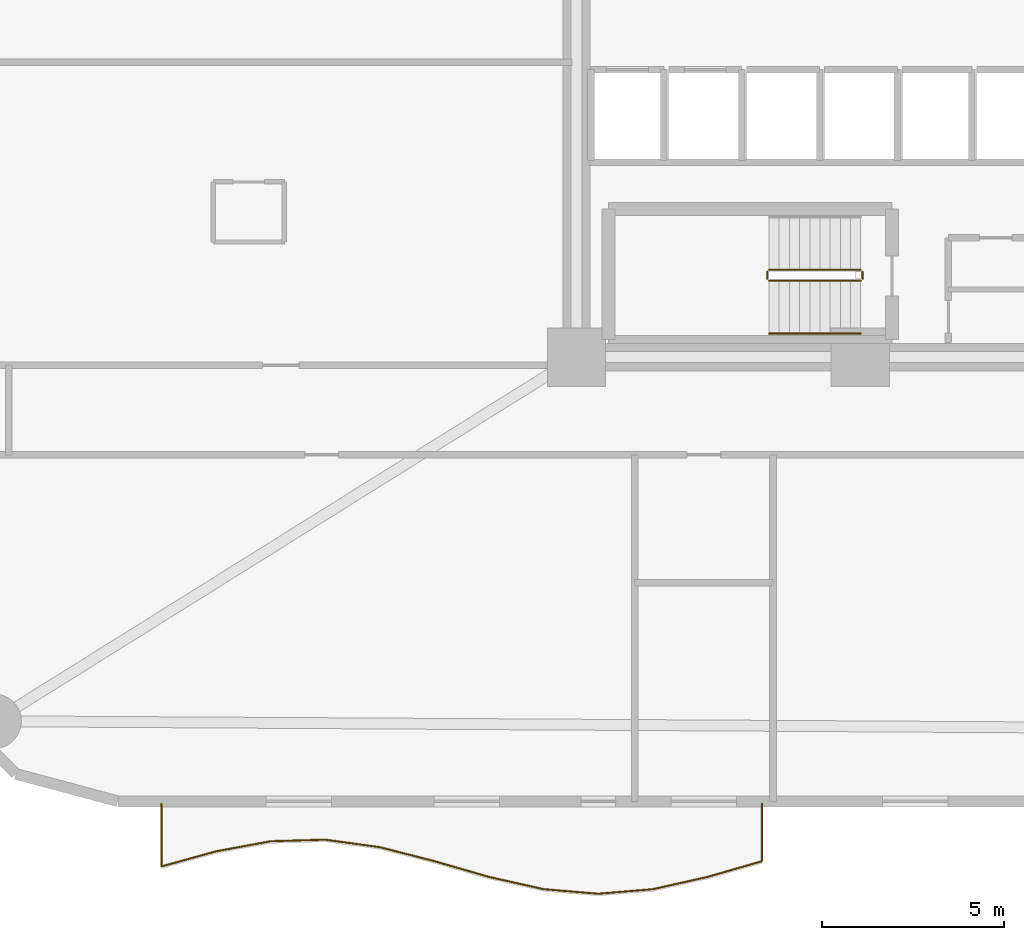
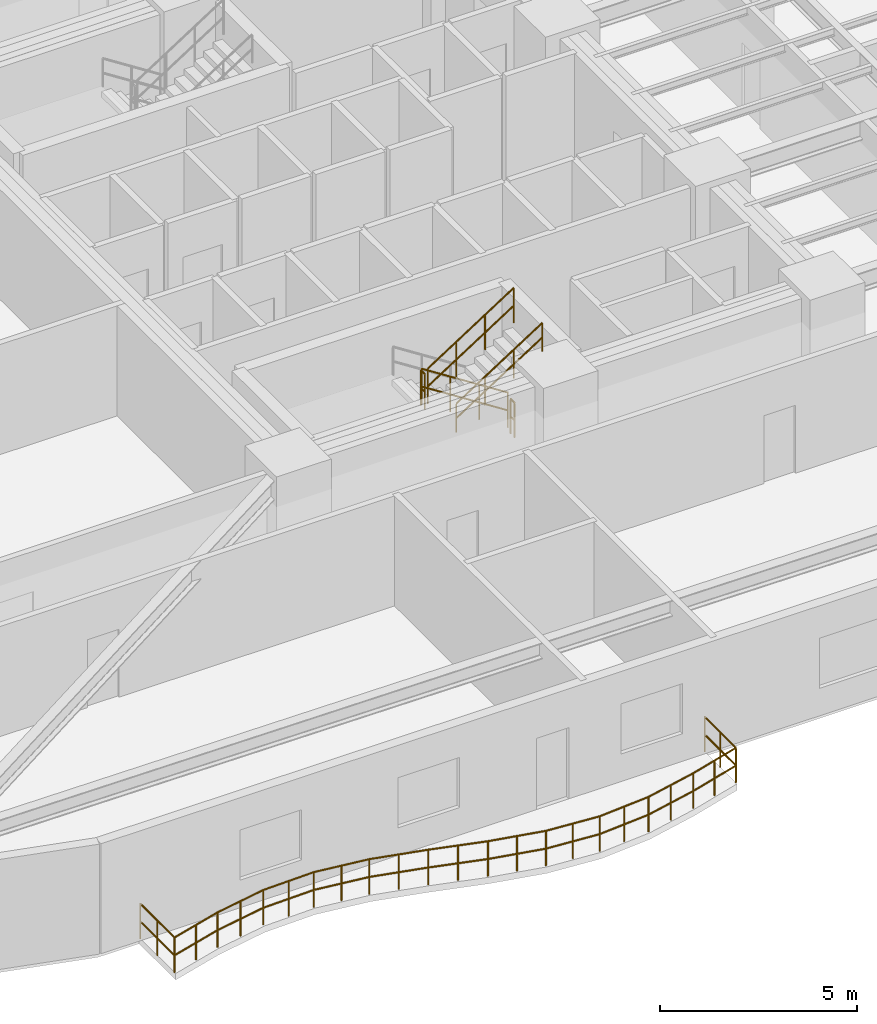
# One storey, part 14 of 16: 6 railings.
"""IFC4 building model written with IfcOpenShell, lengths in metres."""

from ifc_helpers import new_model, si_unit, direction, frame, origin, origin_2d, place, context, subcontext, project, spatial, circle, extrude, material, type_object, element, save


model = new_model("IFC4")

# Units and contexts
model_context = context("Model", 3, precision=1e-05, world=origin(), true_north=direction((0.0, 1.0)))
body_context = subcontext(model_context, "Body", "Model", "MODEL_VIEW")
ifc_project = project(units=[si_unit("LENGTHUNIT", "METRE"), si_unit("AREAUNIT", "SQUARE_METRE"), si_unit("VOLUMEUNIT", "CUBIC_METRE"), si_unit("PLANEANGLEUNIT", "RADIAN"), si_unit("MASSUNIT", "GRAM", prefix="KILO")], contexts=[model_context])

# Site, building, storey
site_placement = place(None, origin())
site = spatial("IfcSite", under=ifc_project, at=site_placement, CompositionType="ELEMENT")
building_placement = place(site_placement, origin())
building = spatial("IfcBuilding", under=site, at=building_placement, Name="An Khanh Terracotta Commons", CompositionType="ELEMENT")
storey_placement = place(building_placement, frame((0.0, 0.0, 46.800048828125)))
storey = spatial("IfcBuildingStorey", under=building, at=storey_placement, Name="L12", CompositionType="ELEMENT", Elevation=46.800048828125)

# Railings
ifc_material_1 = material(Name="Brushed Stainless Steel 316", Category="steel")
railing_type_1 = type_object("IfcRailingType", Name="RAIL-BALUSTRADE-1100", PredefinedType="BALUSTRADE", material=ifc_material_1)
railing_1_placement = place(storey_placement, frame((10.199951171875, 2.139892578125, 0.0)))
element("IfcRailing", 1, at=railing_1_placement, inside=storey, type_object=railing_type_1, Name="L12 S Wave Balcony Guard Balustrade", PredefinedType="BALUSTRADE", context=body_context, shape_type="SweptSolid", body=[
    extrude(circle(Radius=0.02392578125, at=origin_2d()), frame((0.0, 0.0, 1.076171875), z_axis=(0.0, -1.0, 0.0), x_axis=(1.0, 0.0, 0.0)), (0.0, 0.0, 1.0), 1.72998046875),
    extrude(circle(Radius=0.02392578125, at=origin_2d()), frame((0.0, 0.0, 0.52587890625), z_axis=(0.0, -1.0, 0.0), x_axis=(1.0, 0.0, 0.0)), (0.0, 0.0, 1.0), 1.72998046875),
    extrude(circle(Radius=0.02392578125, at=origin_2d()), frame((0.0, -1.72998046875, 1.076171875), z_axis=(0.963463971294, 0.267837965978, 0.0), x_axis=(-0.267837965978, 0.963463971294, 0.0)), (0.0, 0.0, 1.0), 1.556884765625),
    extrude(circle(Radius=0.02392578125, at=origin_2d()), frame((0.0, -1.72998046875, 0.52587890625), z_axis=(0.963463971294, 0.267837965978, 0.0), x_axis=(-0.267837965978, 0.963463971294, 0.0)), (0.0, 0.0, 1.0), 1.556884765625),
    extrude(circle(Radius=0.02392578125, at=origin_2d()), frame((1.5, -1.31298828125, 1.076171875), z_axis=(0.983475695992, 0.181040203803, 0.0), x_axis=(-0.181040203803, 0.983475695992, 0.0)), (0.0, 0.0, 1.0), 1.525146484375),
    extrude(circle(Radius=0.02392578125, at=origin_2d()), frame((1.5, -1.31298828125, 0.52587890625), z_axis=(0.983475695992, 0.181040203803, 0.0), x_axis=(-0.181040203803, 0.983475695992, 0.0)), (0.0, 0.0, 1.0), 1.525146484375),
    extrude(circle(Radius=0.02392578125, at=origin_2d()), frame((3.0, -1.036865234375, 1.076171875), z_axis=(0.999589960453, 0.028634087409, 0.0), x_axis=(-0.028634087409, 0.999589960453, 0.0)), (0.0, 0.0, 1.0), 1.500732421875),
    extrude(circle(Radius=0.02392578125, at=origin_2d()), frame((3.0, -1.036865234375, 0.52587890625), z_axis=(0.999589960453, 0.028634087409, 0.0), x_axis=(-0.028634087409, 0.999589960453, 0.0)), (0.0, 0.0, 1.0), 1.500732421875),
    extrude(circle(Radius=0.02392578125, at=origin_2d()), frame((4.5, -0.993896484375, 1.076171875), z_axis=(0.990696239711, -0.136091736054, 0.0), x_axis=(0.136091736054, 0.990696239711, 0.0)), (0.0, 0.0, 1.0), 1.51416015625),
    extrude(circle(Radius=0.02392578125, at=origin_2d()), frame((4.5, -0.993896484375, 0.52587890625), z_axis=(0.990696239711, -0.136091736054, 0.0), x_axis=(0.136091736054, 0.990696239711, 0.0)), (0.0, 0.0, 1.0), 1.51416015625),
    extrude(circle(Radius=0.02392578125, at=origin_2d()), frame((6.0, -1.199951171875, 1.076171875), z_axis=(0.968754262999, -0.248022535107, 0.0), x_axis=(0.248022535107, 0.968754262999, 0.0)), (0.0, 0.0, 1.0), 1.54833984375),
    extrude(circle(Radius=0.02392578125, at=origin_2d()), frame((6.0, -1.199951171875, 0.52587890625), z_axis=(0.968754262999, -0.248022535107, 0.0), x_axis=(0.248022535107, 0.968754262999, 0.0)), (0.0, 0.0, 1.0), 1.54833984375),
    extrude(circle(Radius=0.02392578125, at=origin_2d()), frame((7.5, -1.583984375, 1.076171875), z_axis=(0.960794755374, -0.277260595911, 0.0), x_axis=(0.277260595911, 0.960794755374, 0.0)), (0.0, 0.0, 1.0), 1.561279296875),
    extrude(circle(Radius=0.02392578125, at=origin_2d()), frame((7.5, -1.583984375, 0.52587890625), z_axis=(0.960794755374, -0.277260595911, 0.0), x_axis=(0.277260595911, 0.960794755374, 0.0)), (0.0, 0.0, 1.0), 1.561279296875),
    extrude(circle(Radius=0.02392578125, at=origin_2d()), frame((9.0, -2.016845703125, 1.076171875), z_axis=(0.975657344328, -0.21930058472, 0.0), x_axis=(0.21930058472, 0.975657344328, 0.0)), (0.0, 0.0, 1.0), 1.537353515625),
    extrude(circle(Radius=0.02392578125, at=origin_2d()), frame((9.0, -2.016845703125, 0.52587890625), z_axis=(0.975657344328, -0.21930058472, 0.0), x_axis=(0.21930058472, 0.975657344328, 0.0)), (0.0, 0.0, 1.0), 1.537353515625),
    extrude(circle(Radius=0.02392578125, at=origin_2d()), frame((10.5, -2.35400390625, 1.076171875), z_axis=(0.996491859681, -0.083689746028, 0.0), x_axis=(0.083689746028, 0.996491859681, 0.0)), (0.0, 0.0, 1.0), 1.50537109375),
    extrude(circle(Radius=0.02392578125, at=origin_2d()), frame((10.5, -2.35400390625, 0.52587890625), z_axis=(0.996491859681, -0.083689746028, 0.0), x_axis=(0.083689746028, 0.996491859681, 0.0)), (0.0, 0.0, 1.0), 1.50537109375),
    extrude(circle(Radius=0.02392578125, at=origin_2d()), frame((12.0, -2.47998046875, 1.076171875), z_axis=(0.996491859681, 0.083689746028, 0.0), x_axis=(-0.083689746028, 0.996491859681, 0.0)), (0.0, 0.0, 1.0), 1.50537109375),
    extrude(circle(Radius=0.02392578125, at=origin_2d()), frame((12.0, -2.47998046875, 0.52587890625), z_axis=(0.996491859681, 0.083689746028, 0.0), x_axis=(-0.083689746028, 0.996491859681, 0.0)), (0.0, 0.0, 1.0), 1.50537109375),
    extrude(circle(Radius=0.02392578125, at=origin_2d()), frame((13.5, -2.35400390625, 1.076171875), z_axis=(0.975657344328, 0.21930058472, 0.0), x_axis=(-0.21930058472, 0.975657344328, 0.0)), (0.0, 0.0, 1.0), 1.537353515625),
    extrude(circle(Radius=0.02392578125, at=origin_2d()), frame((13.5, -2.35400390625, 0.52587890625), z_axis=(0.975657344328, 0.21930058472, 0.0), x_axis=(-0.21930058472, 0.975657344328, 0.0)), (0.0, 0.0, 1.0), 1.537353515625),
    extrude(circle(Radius=0.02392578125, at=origin_2d()), frame((15.0, -2.016845703125, 1.076171875), z_axis=(0.960794755374, 0.277260595911, 0.0), x_axis=(-0.277260595911, 0.960794755374, 0.0)), (0.0, 0.0, 1.0), 1.561279296875),
    extrude(circle(Radius=0.02392578125, at=origin_2d()), frame((15.0, -2.016845703125, 0.52587890625), z_axis=(0.960794755374, 0.277260595911, 0.0), x_axis=(-0.277260595911, 0.960794755374, 0.0)), (0.0, 0.0, 1.0), 1.561279296875),
    extrude(circle(Radius=0.02392578125, at=origin_2d()), frame((16.5, -1.583984375, 1.076171875), z_axis=(0.0, 1.0, 0.0), x_axis=(-1.0, 0.0, 0.0)), (0.0, 0.0, 1.0), 1.583984375),
    extrude(circle(Radius=0.02392578125, at=origin_2d()), frame((16.5, -1.583984375, 0.52587890625), z_axis=(0.0, 1.0, 0.0), x_axis=(-1.0, 0.0, 0.0)), (0.0, 0.0, 1.0), 1.583984375),
    extrude(circle(Radius=0.02099609375, at=origin_2d()), origin(), (0.0, 0.0, 1.0), 1.052001953125),
    extrude(circle(Radius=0.02099609375, at=origin_2d()), frame((0.0, -0.864990234375, 0.0)), (0.0, 0.0, 1.0), 1.052001953125),
    extrude(circle(Radius=0.02099609375, at=origin_2d()), frame((0.0, -1.72998046875, 0.0)), (0.0, 0.0, 1.0), 1.052001953125),
    extrude(circle(Radius=0.02099609375, at=origin_2d()), frame((0.75, -1.521484375, 0.0)), (0.0, 0.0, 1.0), 1.052001953125),
    extrude(circle(Radius=0.02099609375, at=origin_2d()), frame((1.5, -1.31298828125, 0.0)), (0.0, 0.0, 1.0), 1.052001953125),
    extrude(circle(Radius=0.02099609375, at=origin_2d()), frame((2.25, -1.1748046875, 0.0)), (0.0, 0.0, 1.0), 1.052001953125),
    extrude(circle(Radius=0.02099609375, at=origin_2d()), frame((3.0, -1.036865234375, 0.0)), (0.0, 0.0, 1.0), 1.052001953125),
    extrude(circle(Radius=0.02099609375, at=origin_2d()), frame((3.75, -1.015380859375, 0.0)), (0.0, 0.0, 1.0), 1.052001953125),
    extrude(circle(Radius=0.02099609375, at=origin_2d()), frame((4.5, -0.993896484375, 0.0)), (0.0, 0.0, 1.0), 1.052001953125),
    extrude(circle(Radius=0.02099609375, at=origin_2d()), frame((5.25, -1.096923828125, 0.0)), (0.0, 0.0, 1.0), 1.052001953125),
    extrude(circle(Radius=0.02099609375, at=origin_2d()), frame((6.0, -1.199951171875, 0.0)), (0.0, 0.0, 1.0), 1.052001953125),
    extrude(circle(Radius=0.02099609375, at=origin_2d()), frame((6.75, -1.39208984375, 0.0)), (0.0, 0.0, 1.0), 1.052001953125),
    extrude(circle(Radius=0.02099609375, at=origin_2d()), frame((7.5, -1.583984375, 0.0)), (0.0, 0.0, 1.0), 1.052001953125),
    extrude(circle(Radius=0.02099609375, at=origin_2d()), frame((8.25, -1.80029296875, 0.0)), (0.0, 0.0, 1.0), 1.052001953125),
    extrude(circle(Radius=0.02099609375, at=origin_2d()), frame((9.0, -2.016845703125, 0.0)), (0.0, 0.0, 1.0), 1.052001953125),
    extrude(circle(Radius=0.02099609375, at=origin_2d()), frame((9.75, -2.185546875, 0.0)), (0.0, 0.0, 1.0), 1.052001953125),
    extrude(circle(Radius=0.02099609375, at=origin_2d()), frame((10.5, -2.35400390625, 0.0)), (0.0, 0.0, 1.0), 1.052001953125),
    extrude(circle(Radius=0.02099609375, at=origin_2d()), frame((11.25, -2.4169921875, 0.0)), (0.0, 0.0, 1.0), 1.052001953125),
    extrude(circle(Radius=0.02099609375, at=origin_2d()), frame((12.0, -2.47998046875, 0.0)), (0.0, 0.0, 1.0), 1.052001953125),
    extrude(circle(Radius=0.02099609375, at=origin_2d()), frame((12.75, -2.4169921875, 0.0)), (0.0, 0.0, 1.0), 1.052001953125),
    extrude(circle(Radius=0.02099609375, at=origin_2d()), frame((13.5, -2.35400390625, 0.0)), (0.0, 0.0, 1.0), 1.052001953125),
    extrude(circle(Radius=0.02099609375, at=origin_2d()), frame((14.25, -2.185546875, 0.0)), (0.0, 0.0, 1.0), 1.052001953125),
    extrude(circle(Radius=0.02099609375, at=origin_2d()), frame((15.0, -2.016845703125, 0.0)), (0.0, 0.0, 1.0), 1.052001953125),
    extrude(circle(Radius=0.02099609375, at=origin_2d()), frame((15.75, -1.80029296875, 0.0)), (0.0, 0.0, 1.0), 1.052001953125),
    extrude(circle(Radius=0.02099609375, at=origin_2d()), frame((16.5, -1.583984375, 0.0)), (0.0, 0.0, 1.0), 1.052001953125),
    extrude(circle(Radius=0.02099609375, at=origin_2d()), frame((16.5, -0.7919921875, 0.0)), (0.0, 0.0, 1.0), 1.052001953125),
    extrude(circle(Radius=0.02099609375, at=origin_2d()), frame((16.5, 0.0, 0.0)), (0.0, 0.0, 1.0), 1.052001953125),
])
railing_type_2 = type_object("IfcRailingType", Name="RAIL-HANDRAIL-900", PredefinedType="HANDRAIL", material=ifc_material_1)
railing_2_placement = place(storey_placement, frame((26.889892578125, 15.050048828125, 1.97998046875)))
element("IfcRailing", 2, at=railing_2_placement, inside=storey, type_object=railing_type_2, Name="L12 ST-02 stair handrail 2", PredefinedType="HANDRAIL", context=body_context, shape_type="SweptSolid", body=[
    extrude(circle(Radius=0.02392578125, at=origin_2d()), frame((0.0, 0.0, 0.8759765625), z_axis=(0.841199657755, 0.0, 0.540724639528), x_axis=(0.0, 1.0, 0.0)), (0.0, 0.0, 1.0), 2.995849609375),
    extrude(circle(Radius=0.02392578125, at=origin_2d()), frame((0.0, 0.0, 0.42578125), z_axis=(0.841199657755, 0.0, 0.540724639528), x_axis=(0.0, 1.0, 0.0)), (0.0, 0.0, 1.0), 2.995849609375),
    extrude(circle(Radius=0.02099609375, at=origin_2d()), origin(), (0.0, 0.0, 1.0), 0.851806640625),
    extrude(circle(Radius=0.02099609375, at=origin_2d()), frame((0.840087890625, 0.0, 0.5400390625)), (0.0, 0.0, 1.0), 0.851806640625),
    extrude(circle(Radius=0.02099609375, at=origin_2d()), frame((1.679931640625, 0.0, 1.079833984375)), (0.0, 0.0, 1.0), 0.851806640625),
    extrude(circle(Radius=0.02099609375, at=origin_2d()), frame((2.52001953125, 0.0, 1.619873046875)), (0.0, 0.0, 1.0), 0.851806640625),
])
ifc_material_2 = material(Name="Powder-Coated Steel S355J2", Category="steel")
railing_type_3 = type_object("IfcRailingType", Name="RAIL-STAIR-GUARD-1100", PredefinedType="BALUSTRADE", material=ifc_material_2)
railing_3_placement = place(storey_placement, frame((29.409912109375, 16.800048828125, 0.179931640625)))
element("IfcRailing", 3, at=railing_3_placement, inside=storey, type_object=railing_type_3, Name="L12 ST-02 stair guard 1", PredefinedType="BALUSTRADE", context=body_context, shape_type="SweptSolid", body=[
    extrude(circle(Radius=0.02392578125, at=origin_2d()), frame((0.0, 0.0, 1.076171875), z_axis=(-0.841162588446, 0.0, 0.540782303519), x_axis=(0.0, -1.0, 0.0)), (0.0, 0.0, 1.0), 2.995849609375),
    extrude(circle(Radius=0.02392578125, at=origin_2d()), frame((0.0, 0.0, 0.52587890625), z_axis=(-0.841162588446, 0.0, 0.540782303519), x_axis=(0.0, -1.0, 0.0)), (0.0, 0.0, 1.0), 2.995849609375),
    extrude(circle(Radius=0.02099609375, at=origin_2d()), origin(), (0.0, 0.0, 1.0), 1.052001953125),
    extrude(circle(Radius=0.02099609375, at=origin_2d()), frame((-0.840087890625, 0.0, 0.5400390625)), (0.0, 0.0, 1.0), 1.052001953125),
    extrude(circle(Radius=0.02099609375, at=origin_2d()), frame((-1.679931640625, 0.0, 1.080078125)), (0.0, 0.0, 1.0), 1.052001953125),
    extrude(circle(Radius=0.02099609375, at=origin_2d()), frame((-2.52001953125, 0.0, 1.6201171875)), (0.0, 0.0, 1.0), 1.052001953125),
])
railing_4_placement = place(storey_placement, frame((26.840087890625, 16.75, 1.800048828125)))
element("IfcRailing", 4, at=railing_4_placement, inside=storey, type_object=railing_type_3, Name="L12 ST-02 stair guard 2", PredefinedType="BALUSTRADE", context=body_context, shape_type="SweptSolid", body=[
    extrude(circle(Radius=0.02392578125, at=origin_2d()), frame((0.0, 0.0, 1.076171875), z_axis=(0.0, -1.0, 0.0), x_axis=(1.0, 0.0, 0.0)), (0.0, 0.0, 1.0), 0.199951171875),
    extrude(circle(Radius=0.02392578125, at=origin_2d()), frame((0.0, 0.0, 0.52587890625), z_axis=(0.0, -1.0, 0.0), x_axis=(1.0, 0.0, 0.0)), (0.0, 0.0, 1.0), 0.199951171875),
    extrude(circle(Radius=0.02099609375, at=origin_2d()), origin(), (0.0, 0.0, 1.0), 1.052001953125),
    extrude(circle(Radius=0.02099609375, at=origin_2d()), frame((0.0, -0.199951171875, 0.0)), (0.0, 0.0, 1.0), 1.052001953125),
])
railing_5_placement = place(storey_placement, frame((26.889892578125, 16.5, 1.97998046875)))
element("IfcRailing", 5, at=railing_5_placement, inside=storey, type_object=railing_type_3, Name="L12 ST-02 stair guard 3", PredefinedType="BALUSTRADE", context=body_context, shape_type="SweptSolid", body=[
    extrude(circle(Radius=0.02392578125, at=origin_2d()), frame((0.0, 0.0, 1.076171875), z_axis=(0.841199657755, 0.0, 0.540724639528), x_axis=(0.0, 1.0, 0.0)), (0.0, 0.0, 1.0), 2.995849609375),
    extrude(circle(Radius=0.02392578125, at=origin_2d()), frame((0.0, 0.0, 0.52587890625), z_axis=(0.841199657755, 0.0, 0.540724639528), x_axis=(0.0, 1.0, 0.0)), (0.0, 0.0, 1.0), 2.995849609375),
    extrude(circle(Radius=0.02099609375, at=origin_2d()), origin(), (0.0, 0.0, 1.0), 1.052001953125),
    extrude(circle(Radius=0.02099609375, at=origin_2d()), frame((0.840087890625, 0.0, 0.5400390625)), (0.0, 0.0, 1.0), 1.052001953125),
    extrude(circle(Radius=0.02099609375, at=origin_2d()), frame((1.679931640625, 0.0, 1.079833984375)), (0.0, 0.0, 1.0), 1.052001953125),
    extrude(circle(Radius=0.02099609375, at=origin_2d()), frame((2.52001953125, 0.0, 1.619873046875)), (0.0, 0.0, 1.0), 1.052001953125),
])
railing_6_placement = place(storey_placement, frame((29.4599609375, 16.75, 0.0)))
element("IfcRailing", 6, at=railing_6_placement, inside=storey, type_object=railing_type_3, Name="L12 ST-02 stair guard 4", PredefinedType="BALUSTRADE", context=body_context, shape_type="SweptSolid", body=[
    extrude(circle(Radius=0.02392578125, at=origin_2d()), frame((0.0, 0.0, 1.076171875), z_axis=(0.0, -1.0, 0.0), x_axis=(1.0, 0.0, 0.0)), (0.0, 0.0, 1.0), 0.199951171875),
    extrude(circle(Radius=0.02392578125, at=origin_2d()), frame((0.0, 0.0, 0.52587890625), z_axis=(0.0, -1.0, 0.0), x_axis=(1.0, 0.0, 0.0)), (0.0, 0.0, 1.0), 0.199951171875),
    extrude(circle(Radius=0.02099609375, at=origin_2d()), origin(), (0.0, 0.0, 1.0), 1.052001953125),
    extrude(circle(Radius=0.02099609375, at=origin_2d()), frame((0.0, -0.199951171875, 0.0)), (0.0, 0.0, 1.0), 1.052001953125),
])

save(model, "model.ifc")
